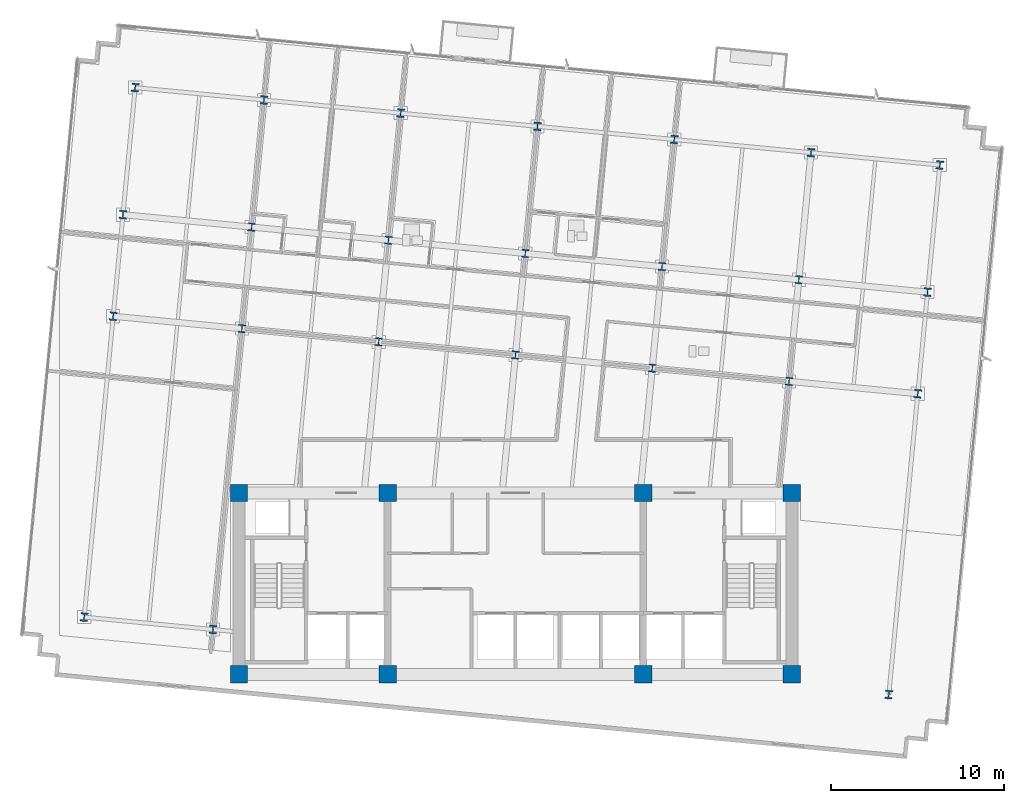
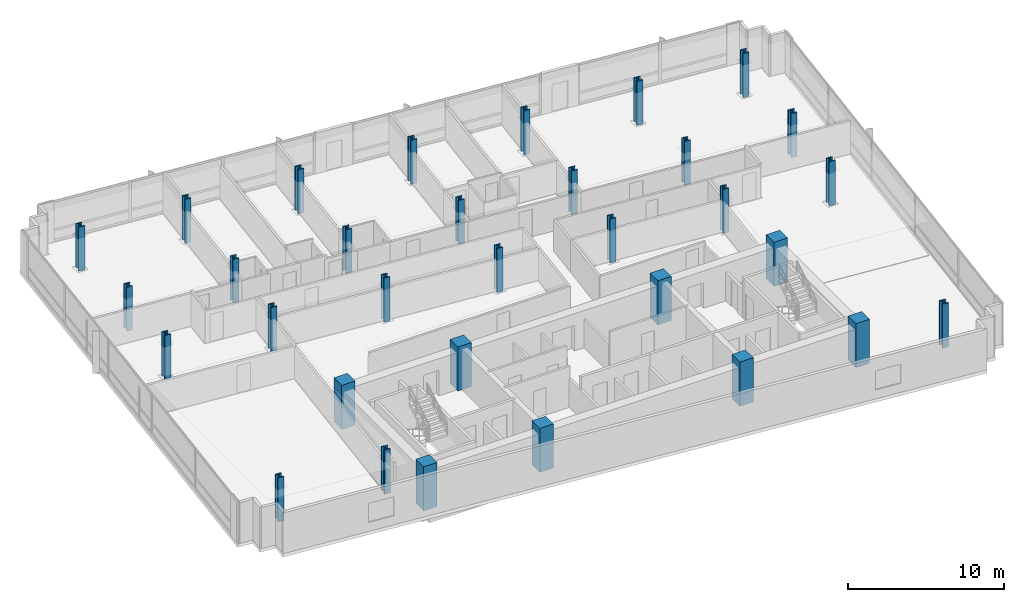
# One storey, part 1 of 17: 32 columns.
"""IFC4 building model written with IfcOpenShell, lengths in metres."""

from ifc_helpers import new_model, si_unit, direction, frame, origin, origin_2d, place, context, subcontext, project, spatial, rectangle, i_section, extrude, material, material_profile, profile_set, type_object, element, save


model = new_model("IFC4")

# Units and contexts
model_context = context("Model", 3, precision=1e-05, world=origin(), true_north=direction((0.0, 1.0)))
body_context = subcontext(model_context, "Body", "Model", "MODEL_VIEW")
ifc_project = project(units=[si_unit("LENGTHUNIT", "METRE"), si_unit("AREAUNIT", "SQUARE_METRE"), si_unit("VOLUMEUNIT", "CUBIC_METRE"), si_unit("PLANEANGLEUNIT", "RADIAN"), si_unit("MASSUNIT", "GRAM", prefix="KILO")], contexts=[model_context])

# Site, building, storey
site_placement = place(None, origin())
site = spatial("IfcSite", under=ifc_project, at=site_placement, CompositionType="ELEMENT")
building_placement = place(site_placement, origin())
building = spatial("IfcBuilding", under=site, at=building_placement, Name="Solmavex Isthmus Hotel", CompositionType="ELEMENT")
storey_placement = place(building_placement, frame((0.0, 0.0, 149.699951171875)))
storey = spatial("IfcBuildingStorey", under=building, at=storey_placement, Name="L40", CompositionType="ELEMENT", Elevation=149.699951171875)

# Columns
ifc_material_1 = material(Name="Concrete C60/75", Category="concrete")
ifc_material_profile_1 = material_profile(ifc_material_1, rectangle(XDim=1.0, YDim=1.0, at=origin_2d()), Name="RC1000X1000")
ifc_profile_set_1 = profile_set([ifc_material_profile_1], Name="Concrete C60/75")
column_type_1 = type_object("IfcColumnType", Name="COL-CC-1000", PredefinedType="COLUMN", material=ifc_profile_set_1)
for number, where, z_axis, x_axis, name in (
    (1, (-16.0, -13.0, 0.0), (0.0, 0.0, 1.0), (1.0, 0.0, 0.0), "Core Pilaster CC-SW L40"),
    (2, (-7.39990234375, -13.0, 0.0), (0.0, 0.0, 1.0), (1.0, 0.0, 0.0), "Core Pilaster CC-S1 L40"),
    (3, (7.39990234375, -13.0, 0.0), (0.0, 0.0, 1.0), (1.0, 0.0, 0.0), "Core Pilaster CC-S2 L40"),
    (4, (16.0, -13.0, 0.0), (0.0, 0.0, 1.0), (1.0, 0.0, 0.0), "Core Pilaster CC-SE L40"),
    (5, (-16.0, -2.5, 0.0), (0.0, 0.0, 1.0), (1.0, 0.0, 0.0), "Core Pilaster CC-NW L40"),
    (6, (-7.39990234375, -2.5, 0.0), (0.0, 0.0, 1.0), (1.0, 0.0, 0.0), "Core Pilaster CC-N1 L40"),
    (7, (7.39990234375, -2.5, 0.0), (0.0, 0.0, 1.0), (1.0, 0.0, 0.0), "Core Pilaster CC-N2 L40"),
    (8, (16.0, -2.5, 0.0), (0.0, 0.0, 1.0), (1.0, 0.0, 0.0), "Core Pilaster CC-NE L40"),
):
    element("IfcColumn", number, at=place(storey_placement, frame(where, z_axis=z_axis, x_axis=x_axis)), inside=storey, type_object=column_type_1, Name=name, PredefinedType="COLUMN", context=body_context, shape_type="SweptSolid", body=[
        extrude(rectangle(XDim=1.0, YDim=1.0, at=origin_2d()), origin(), (0.0, 0.0, 1.0), 3.449951171875),
    ])
ifc_material_2 = material(Name="Steel ASTM A913 Grade 65", Category="steel")
ifc_material_profile_2 = material_profile(ifc_material_2, i_section(OverallWidth=0.424072265625, OverallDepth=0.47412109375, WebThickness=0.047607421875, FlangeThickness=0.0771484375, FilletRadius=0.030517578125, at=origin_2d()), Name="W14X426")
ifc_profile_set_2 = profile_set([ifc_material_profile_2], Name="Steel ASTM A913 Grade 65")
column_type_2 = type_object("IfcColumnType", Name="COL-SC-W14X426", PredefinedType="COLUMN", material=ifc_profile_set_2)
for number, where, z_axis, x_axis, name in (
    (9, (-15.83740234375, 7.015380859375, 0.0), (0.0, 0.0, 1.0), (0.995396198367, -0.09584575252, 0.0), "Tower Column B3-U2V2 L40"),
    (10, (-15.271240234375, 12.896240234375, 0.0), (0.0, 0.0, 1.0), (0.995396198367, -0.09584575252, 0.0), "Tower Column B3-U2V3 L40"),
    (11, (-7.918212890625, 6.2529296875, 0.0), (0.0, 0.0, 1.0), (0.995396198367, -0.09584575252, 0.0), "Tower Column B3-U3V2 L40"),
    (12, (-7.351806640625, 12.1337890625, 0.0), (0.0, 0.0, 1.0), (0.995396198367, -0.09584575252, 0.0), "Tower Column B3-U3V3 L40"),
    (13, (0.001220703125, 5.490234375, 0.0), (0.0, 0.0, 1.0), (0.995396198367, -0.09584575252, 0.0), "Tower Column B3-U4V2 L40"),
    (14, (0.567626953125, 11.37109375, 0.0), (0.0, 0.0, 1.0), (0.995396198367, -0.09584575252, 0.0), "Tower Column B3-U4V3 L40"),
    (15, (7.920654296875, 4.727783203125, 0.0), (0.0, 0.0, 1.0), (0.995396198367, -0.09584575252, 0.0), "Tower Column B3-U5V2 L40"),
    (16, (8.48681640625, 10.608642578125, 0.0), (0.0, 0.0, 1.0), (0.995396198367, -0.09584575252, 0.0), "Tower Column B3-U5V3 L40"),
    (17, (15.840087890625, 3.96533203125, 0.0), (0.0, 0.0, 1.0), (0.995396198367, -0.09584575252, 0.0), "Tower Column B3-U6V2 L40"),
    (18, (16.40625, 9.845947265625, 0.0), (0.0, 0.0, 1.0), (0.995396198367, -0.09584575252, 0.0), "Tower Column B3-U6V3 L40"),
):
    element("IfcColumn", number, at=place(storey_placement, frame(where, z_axis=z_axis, x_axis=x_axis)), inside=storey, type_object=column_type_2, Name=name, PredefinedType="COLUMN", context=body_context, shape_type="SweptSolid", body=[
        extrude(i_section(OverallWidth=0.424072265625, OverallDepth=0.47412109375, WebThickness=0.047607421875, FlangeThickness=0.0771484375, FilletRadius=0.030517578125, at=origin_2d()), origin(), (0.0, 0.0, 1.0), 3.449951171875),
    ])
ifc_material_profile_3 = material_profile(ifc_material_2, i_section(OverallWidth=0.43212890625, OverallDepth=0.497802734375, WebThickness=0.0556640625, FlangeThickness=0.0888671875, FilletRadius=0.030517578125, at=origin_2d()), Name="W14X500")
ifc_profile_set_3 = profile_set([ifc_material_profile_3], Name="Steel ASTM A913 Grade 65")
column_type_3 = type_object("IfcColumnType", Name="COL-SC-W14X500", PredefinedType="COLUMN", material=ifc_profile_set_3)
for number, where, z_axis, x_axis, name in (
    (19, (-24.96826171875, -9.686279296875, 0.0), (0.0, 0.0, 1.0), (0.995396198367, -0.09584575252, 0.0), "Tower Column B3-U1V1 L40"),
    (20, (-23.291015625, 7.733154296875, 0.0), (0.0, 0.0, 1.0), (0.995396198367, -0.09584575252, 0.0), "Tower Column B3-U1V2 L40"),
    (21, (-22.724853515625, 13.614013671875, 0.0), (0.0, 0.0, 1.0), (0.995396198367, -0.09584575252, 0.0), "Tower Column B3-U1V3 L40"),
    (22, (-22.016357421875, 20.971923828125, 0.0), (0.0, 0.0, 1.0), (0.995396198367, -0.09584575252, 0.0), "Tower Column B3-U1V4 L40"),
    (23, (-17.5146484375, -10.404052734375, 0.0), (0.0, 0.0, 1.0), (0.995396198367, -0.09584575252, 0.0), "Tower Column B3-U2V1 L40"),
    (24, (-14.562744140625, 20.254150390625, 0.0), (0.0, 0.0, 1.0), (0.995396198367, -0.09584575252, 0.0), "Tower Column B3-U2V4 L40"),
    (25, (-6.643310546875, 19.49169921875, 0.0), (0.0, 0.0, 1.0), (0.995396198367, -0.09584575252, 0.0), "Tower Column B3-U3V4 L40"),
    (26, (1.276123046875, 18.72900390625, 0.0), (0.0, 0.0, 1.0), (0.995396198367, -0.09584575252, 0.0), "Tower Column B3-U4V4 L40"),
    (27, (9.1953125, 17.966552734375, 0.0), (0.0, 0.0, 1.0), (0.995396198367, -0.09584575252, 0.0), "Tower Column B3-U5V4 L40"),
    (28, (17.11474609375, 17.2041015625, 0.0), (0.0, 0.0, 1.0), (0.995396198367, -0.09584575252, 0.0), "Tower Column B3-U6V4 L40"),
    (29, (21.6162109375, -14.171875, 0.0), (0.0, 0.0, 1.0), (0.995396198367, -0.09584575252, 0.0), "Tower Column B3-U7V1 L40"),
    (30, (23.29345703125, 3.24755859375, 0.0), (0.0, 0.0, 1.0), (0.995396198367, -0.09584575252, 0.0), "Tower Column B3-U7V2 L40"),
    (31, (23.85986328125, 9.12841796875, 0.0), (0.0, 0.0, 1.0), (0.995396198367, -0.09584575252, 0.0), "Tower Column B3-U7V3 L40"),
    (32, (24.568359375, 16.486328125, 0.0), (0.0, 0.0, 1.0), (0.995396198367, -0.09584575252, 0.0), "Tower Column B3-U7V4 L40"),
):
    element("IfcColumn", number, at=place(storey_placement, frame(where, z_axis=z_axis, x_axis=x_axis)), inside=storey, type_object=column_type_3, Name=name, PredefinedType="COLUMN", context=body_context, shape_type="SweptSolid", body=[
        extrude(i_section(OverallWidth=0.43212890625, OverallDepth=0.497802734375, WebThickness=0.0556640625, FlangeThickness=0.0888671875, FilletRadius=0.030517578125, at=origin_2d()), origin(), (0.0, 0.0, 1.0), 3.449951171875),
    ])

save(model, "model.ifc")
